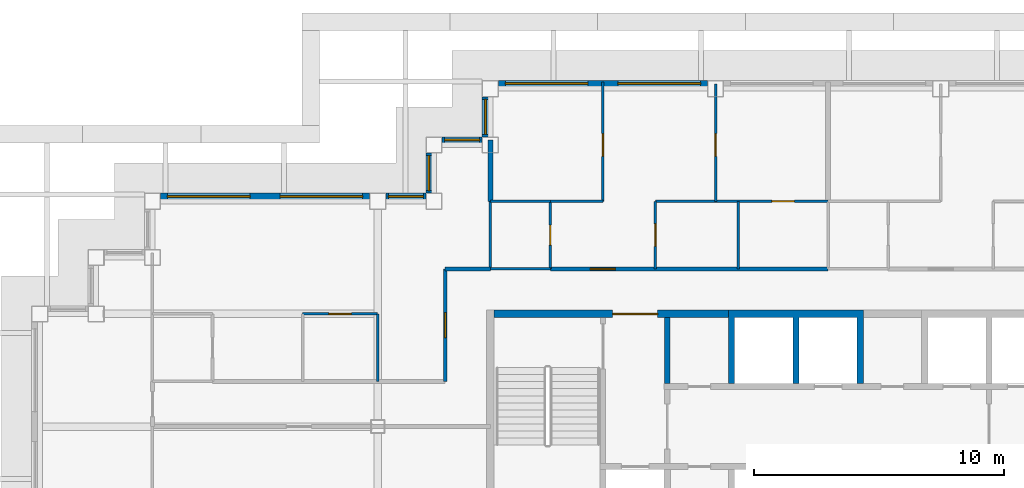
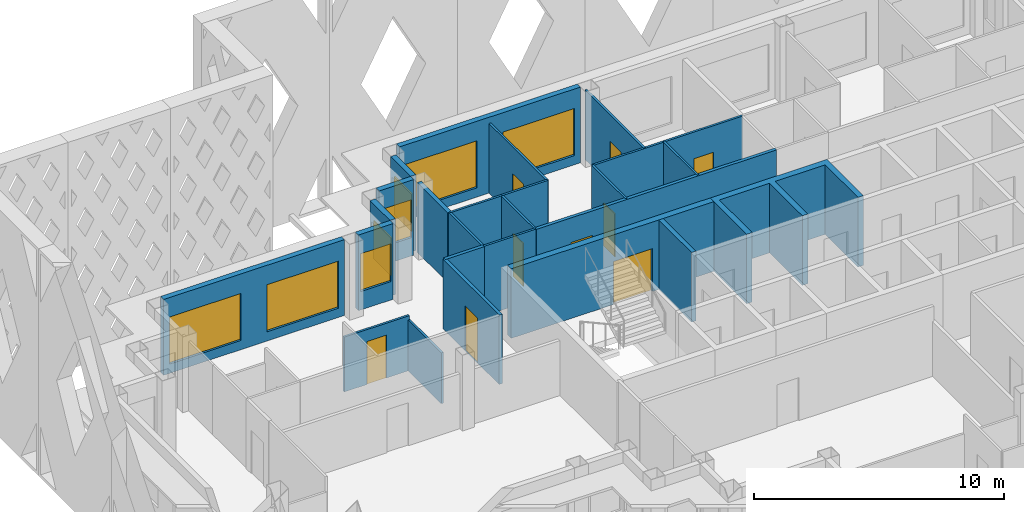
# One storey, part 6 of 17: 25 walls, 9 doors, 8 windows, 17 openings.
"""IFC4 building model written with IfcOpenShell, lengths in metres."""

from ifc_helpers import new_model, si_unit, direction, frame, frame_2d, origin, place, context, subcontext, project, spatial, polyline, rectangle, outline, extrude, material, layer, layer_set, type_object, element, fill, save


model = new_model("IFC4")

# Units and contexts
model_context = context("Model", 3, precision=1e-05, world=origin(), true_north=direction((0.0, 1.0)))
body_context = subcontext(model_context, "Body", "Model", "MODEL_VIEW")
ifc_project = project(units=[si_unit("LENGTHUNIT", "METRE"), si_unit("AREAUNIT", "SQUARE_METRE"), si_unit("VOLUMEUNIT", "CUBIC_METRE"), si_unit("PLANEANGLEUNIT", "RADIAN"), si_unit("MASSUNIT", "GRAM", prefix="KILO")], contexts=[model_context])

# Site, building, storey
site_placement = place(None, origin())
site = spatial("IfcSite", under=ifc_project, at=site_placement, CompositionType="ELEMENT")
building_placement = place(site_placement, origin())
building = spatial("IfcBuilding", under=site, at=building_placement, Name="Caravel Reach Hotel and Residences", CompositionType="ELEMENT")
storey_placement = place(building_placement, frame((0.0, 0.0, 222.0)))
storey = spatial("IfcBuildingStorey", under=building, at=storey_placement, Name="L56", CompositionType="ELEMENT", Elevation=222.0)

# Walls
ifc_material_1 = material(Name="Gypsum board on steel stud", Category="steel")
ifc_layer_1 = layer(ifc_material_1, 0.10009765625)
ifc_layer_set_1 = layer_set([ifc_layer_1], Name="Bathroom pod wall 100 mm")
wall_type_1 = type_object("IfcWallType", Name="Bathroom pod wall 100 mm", PredefinedType="PARTITIONING", material=ifc_layer_set_1)
for number, where, z_axis, x_axis, name in (
    (1, (18.0, 33.300048828125, 0.0), (0.0, 0.0, 1.0), (1.0, 0.0, 0.0), "L56 wall w081"),
    (2, (18.0, 36.0, 0.0), (0.0, 0.0, 1.0), (1.0, 0.0, 0.0), "L56 wall w084"),
):
    element("IfcWall", number, at=place(storey_placement, frame(where, z_axis=z_axis, x_axis=x_axis)), inside=storey, type_object=wall_type_1, Name=name, PredefinedType="PARTITIONING", context=body_context, shape_type="SweptSolid", body=[
        extrude(rectangle(XDim=2.39990234375, YDim=0.10009765625, at=frame_2d((1.199951171875, 0.0))), origin(), (0.0, 0.0, 1.0), 3.39990234375),
    ])
wall_1_placement = place(storey_placement, frame((18.0, 33.301025390625, 0.0), z_axis=(0.0, 0.0, 1.0), x_axis=(0.0, 1.0, 0.0)))
element("IfcWall", 3, at=wall_1_placement, inside=storey, type_object=wall_type_1, Name="L56 wall w090", PredefinedType="PARTITIONING", context=body_context, shape_type="SweptSolid", body=[
    extrude(rectangle(XDim=2.698974609375, YDim=0.10009765625, at=frame_2d((1.349609375, 0.0))), origin(), (0.0, 0.0, 1.0), 3.39990234375),
])

# Wall, opening, door
wall_2_placement = place(storey_placement, frame((20.39990234375, 33.300048828125, 0.0), z_axis=(0.0, 0.0, 1.0), x_axis=(0.0, 1.0, 0.0)))
wall_2 = element("IfcWall", 4, at=wall_2_placement, inside=storey, type_object=wall_type_1, Name="L56 wall w091", PredefinedType="PARTITIONING", context=body_context, shape_type="SweptSolid", body=[
    extrude(rectangle(XDim=2.699951171875, YDim=0.10009765625, at=frame_2d((1.35009765625, 0.0))), origin(), (0.0, 0.0, 1.0), 3.39990234375),
])
opening_1_placement = place(wall_2_placement, frame((0.949951171875, 0.0, 0.0)))
opening_1 = element("IfcOpeningElement", 5, at=opening_1_placement, cuts=wall_2, Name="Opening D56-018", PredefinedType="OPENING", context=body_context, shape_type="SweptSolid", body=[
    extrude(rectangle(XDim=0.800048828125, YDim=2.10009765625, at=frame_2d((0.39990234375, 1.050048828125))), frame((0.0, 0.06005859375, 0.0), z_axis=(0.0, -1.0, 0.0), x_axis=(1.0, 0.0, 0.0)), (0.0, 0.0, 1.0), 0.1201171875),
])
ifc_material_2 = material(Name="Timber and steel door leaf", Category="steel")
door_type_1 = type_object("IfcDoorType", Name="Bathroom door 800 x 2100", OperationType="SINGLE_SWING_LEFT", PredefinedType="DOOR", material=ifc_material_2)
door_1_placement = place(opening_1_placement, origin())
door_1 = element("IfcDoor", 6, at=door_1_placement, inside=storey, type_object=door_type_1, Name="door D56-018", OperationType="SINGLE_SWING_LEFT", OverallHeight=2.10009765625, OverallWidth=0.800048828125, PredefinedType="DOOR", context=body_context, shape_type="SweptSolid", body=[
    extrude(rectangle(XDim=0.800048828125, YDim=2.10009765625, at=frame_2d((0.39990234375, 1.050048828125))), frame((0.0, 0.02490234375, 0.0), z_axis=(0.0, -1.0, 0.0), x_axis=(1.0, 0.0, 0.0)), (0.0, 0.0, 1.0), 0.050048828125),
])
fill(opening_1, door_1)

# Wall
ifc_material_3 = material(Name="Autoclaved aerated block wall")
ifc_layer_2 = layer(ifc_material_3, 0.199951171875)
ifc_layer_set_2 = layer_set([ifc_layer_2], Name="Compartment wall 200 mm EI 120")
wall_type_2 = type_object("IfcWallType", Name="Compartment wall 200 mm EI 120", PredefinedType="PARTITIONING", material=ifc_layer_set_2)
wall_3_placement = place(storey_placement, frame((25.071533203125, 28.72509765625, 0.0), z_axis=(0.0, 0.0, 1.0), x_axis=(0.0, 1.0, 0.0)))
element("IfcWall", 7, at=wall_3_placement, inside=storey, type_object=wall_type_2, Name="L56 store partition", PredefinedType="PARTITIONING", context=body_context, shape_type="SweptSolid", body=[
    extrude(rectangle(XDim=2.625, YDim=0.199951171875, at=frame_2d((1.3125, 0.0))), origin(), (0.0, 0.0, 1.0), 3.39990234375),
])

# Wall, opening, door
ifc_material_4 = material(Name="Concrete C60", Category="concrete")
ifc_layer_3 = layer(ifc_material_4, 0.300048828125)
ifc_layer_set_3 = layer_set([ifc_layer_3], Name="Core wall 300 mm EI 120")
wall_type_3 = type_object("IfcWallType", Name="Core wall 300 mm EI 120", PredefinedType="SHEAR", material=ifc_layer_set_3)
wall_4_placement = place(storey_placement, frame((18.14990234375, 31.5, 0.0), z_axis=(0.0, 0.0, 1.0), x_axis=(1.0, 0.0, 0.0)))
wall_4 = element("IfcWall", 8, at=wall_4_placement, inside=storey, type_object=wall_type_3, Name="L56 core wall N1", PredefinedType="SHEAR", context=body_context, shape_type="SweptSolid", body=[
    extrude(rectangle(XDim=9.367919921875, YDim=0.300048828125, at=frame_2d((4.68408203125, 0.0))), origin(), (0.0, 0.0, 1.0), 3.39990234375),
])
opening_2_placement = place(wall_4_placement, frame((4.735595703125, 0.0, 0.0)))
opening_2 = element("IfcOpeningElement", 9, at=opening_2_placement, cuts=wall_4, Name="Opening D56-015", PredefinedType="OPENING", context=body_context, shape_type="SweptSolid", body=[
    extrude(rectangle(XDim=1.800048828125, YDim=2.10009765625, at=frame_2d((0.89990234375, 1.050048828125))), frame((0.0, 0.159912109375, 0.0), z_axis=(0.0, -1.0, 0.0), x_axis=(1.0, 0.0, 0.0)), (0.0, 0.0, 1.0), 0.320068359375),
])
ifc_material_5 = material(Name="Steel fire door leaf", Category="steel")
door_type_2 = type_object("IfcDoorType", Name="Fire lobby door pair 1800 x 2100 EI 90", OperationType="DOUBLE_DOOR_SINGLE_SWING", PredefinedType="DOOR", material=ifc_material_5)
door_2_placement = place(opening_2_placement, origin())
door_2 = element("IfcDoor", 10, at=door_2_placement, inside=storey, type_object=door_type_2, Name="lobby N door pair to corridor", OperationType="DOUBLE_DOOR_SINGLE_SWING", OverallHeight=2.10009765625, OverallWidth=1.800048828125, PredefinedType="DOOR", context=body_context, shape_type="SweptSolid", body=[
    extrude(rectangle(XDim=1.800048828125, YDim=2.10009765625, at=frame_2d((0.89990234375, 1.050048828125))), frame((0.0, 0.02490234375, 0.0), z_axis=(0.0, -1.0, 0.0), x_axis=(1.0, 0.0, 0.0)), (0.0, 0.0, 1.0), 0.050048828125),
])
fill(opening_2, door_2)

ifc_material_6 = material(Name="Gypsum board on steel stud, fire-rated", Category="steel")
ifc_layer_4 = layer(ifc_material_6, 0.14990234375)
ifc_layer_set_4 = layer_set([ifc_layer_4], Name="Corridor wall 150 mm EI 60")
wall_type_4 = type_object("IfcWallType", Name="Corridor wall 150 mm EI 60", PredefinedType="PARTITIONING", material=ifc_layer_set_4)
wall_5_placement = place(storey_placement, frame((20.39990234375, 33.300048828125, 0.0), z_axis=(0.0, 0.0, 1.0), x_axis=(1.0, 0.0, 0.0)))
wall_5 = element("IfcWall", 11, at=wall_5_placement, inside=storey, type_object=wall_type_4, Name="L56 wall w011", PredefinedType="PARTITIONING", context=body_context, shape_type="SweptSolid", body=[
    extrude(rectangle(XDim=11.10009765625, YDim=0.14990234375, at=frame_2d((5.550048828125, 0.0))), origin(), (0.0, 0.0, 1.0), 3.39990234375),
])
opening_3_placement = place(wall_5_placement, frame((1.60009765625, 0.0, 0.0)))
opening_3 = element("IfcOpeningElement", 12, at=opening_3_placement, cuts=wall_5, Name="Opening D56-017", PredefinedType="OPENING", context=body_context, shape_type="SweptSolid", body=[
    extrude(rectangle(XDim=1.0, YDim=2.199951171875, at=frame_2d((0.5, 1.10009765625))), frame((0.0, 0.0849609375, 0.0), z_axis=(0.0, -1.0, 0.0), x_axis=(1.0, 0.0, 0.0)), (0.0, 0.0, 1.0), 0.169921875),
])
ifc_material_7 = material(Name="Steel fire door leaf", Category="steel")
door_type_3 = type_object("IfcDoorType", Name="Flat entrance door 1000 x 2200 EI 60", OperationType="SINGLE_SWING_LEFT", PredefinedType="DOOR", material=ifc_material_7)
door_3_placement = place(opening_3_placement, origin())
door_3 = element("IfcDoor", 13, at=door_3_placement, inside=storey, type_object=door_type_3, Name="door D56-017", OperationType="SINGLE_SWING_RIGHT", OverallHeight=2.199951171875, OverallWidth=1.0, PredefinedType="DOOR", context=body_context, shape_type="SweptSolid", body=[
    extrude(rectangle(XDim=1.0, YDim=2.199951171875, at=frame_2d((0.5, 1.10009765625))), frame((0.0, 0.02490234375, 0.0), z_axis=(0.0, -1.0, 0.0), x_axis=(1.0, 0.0, 0.0)), (0.0, 0.0, 1.0), 0.050048828125),
])
fill(opening_3, door_3)

# Wall
wall_6_placement = place(storey_placement, frame((16.199951171875, 33.300048828125, 0.0), z_axis=(0.0, 0.0, 1.0), x_axis=(1.0, 0.0, 0.0)))
element("IfcWall", 14, at=wall_6_placement, inside=storey, type_object=wall_type_4, Name="L56 wall w017", PredefinedType="PARTITIONING", context=body_context, shape_type="SweptSolid", body=[
    extrude(rectangle(XDim=1.799072265625, YDim=0.14990234375, at=frame_2d((0.8994140625, 0.0))), origin(), (0.0, 0.0, 1.0), 3.39990234375),
])

# Wall, opening, door
wall_7_placement = place(storey_placement, frame((16.199951171875, 28.801025390625, 0.0), z_axis=(0.0, 0.0, 1.0), x_axis=(0.0, 1.0, 0.0)))
wall_7 = element("IfcWall", 15, at=wall_7_placement, inside=storey, type_object=wall_type_4, Name="L56 wall w019", PredefinedType="PARTITIONING", context=body_context, shape_type="SweptSolid", body=[
    extrude(rectangle(XDim=4.4990234375, YDim=0.14990234375, at=frame_2d((2.24951171875, 0.0))), origin(), (0.0, 0.0, 1.0), 3.39990234375),
])
opening_4_placement = place(wall_7_placement, frame((1.74951171875, 0.0, 0.0)))
opening_4 = element("IfcOpeningElement", 16, at=opening_4_placement, cuts=wall_7, Name="Opening D56-029", PredefinedType="OPENING", context=body_context, shape_type="SweptSolid", body=[
    extrude(rectangle(XDim=1.0, YDim=2.199951171875, at=frame_2d((0.5, 1.10009765625))), frame((0.0, 0.0849609375, 0.0), z_axis=(0.0, -1.0, 0.0), x_axis=(1.0, 0.0, 0.0)), (0.0, 0.0, 1.0), 0.169921875),
])
door_4_placement = place(opening_4_placement, origin())
door_4 = element("IfcDoor", 17, at=door_4_placement, inside=storey, type_object=door_type_3, Name="door D56-029", OperationType="SINGLE_SWING_RIGHT", OverallHeight=2.199951171875, OverallWidth=1.0, PredefinedType="DOOR", context=body_context, shape_type="SweptSolid", body=[
    extrude(rectangle(XDim=1.0, YDim=2.199951171875, at=frame_2d((0.5, 1.10009765625))), frame((0.0, 0.02490234375, 0.0), z_axis=(0.0, -1.0, 0.0), x_axis=(1.0, 0.0, 0.0)), (0.0, 0.0, 1.0), 0.050048828125),
])
fill(opening_4, door_4)

# Wall, openings, windows
ifc_material_8 = material(Name="Insulated rainscreen wall, aluminium cladding", Category="aluminium")
ifc_layer_5 = layer(ifc_material_8, 0.25)
ifc_layer_set_5 = layer_set([ifc_layer_5], Name="EW1 Tower rainscreen wall")
wall_type_5 = type_object("IfcWallType", Name="EW1 Tower rainscreen wall", PredefinedType="SOLIDWALL", material=ifc_layer_set_5)
wall_8_placement = place(storey_placement, frame((26.675048828125, 40.699951171875, 0.0), z_axis=(0.0, 0.0, 1.0), x_axis=(-1.0, 0.0, 0.0)))
wall_8 = element("IfcWall", 18, at=wall_8_placement, inside=storey, type_object=wall_type_5, Name="External wall L56 N11.3", PredefinedType="SOLIDWALL", context=body_context, shape_type="SweptSolid", body=[
    extrude(rectangle(XDim=8.35009765625, YDim=0.25, at=frame_2d((4.175048828125, 0.0))), origin(), (0.0, 0.0, 1.0), 3.699951171875),
])
opening_5_placement = place(wall_8_placement, frame((0.27490234375, 0.0, 0.449951171875)))
opening_5 = element("IfcOpeningElement", 19, at=opening_5_placement, cuts=wall_8, Name="Opening WN15", PredefinedType="OPENING", context=body_context, shape_type="SweptSolid", body=[
    extrude(rectangle(XDim=3.300048828125, YDim=2.300048828125, at=frame_2d((1.64990234375, 1.14990234375))), frame((0.0, 0.135009765625, 0.0), z_axis=(0.0, -1.0, 0.0), x_axis=(1.0, 0.0, 0.0)), (0.0, 0.0, 1.0), 0.27001953125),
])
opening_6_placement = place(wall_8_placement, frame((4.77490234375, 0.0, 0.449951171875)))
opening_6 = element("IfcOpeningElement", 20, at=opening_6_placement, cuts=wall_8, Name="Opening WN15", PredefinedType="OPENING", context=body_context, shape_type="SweptSolid", body=[
    extrude(rectangle(XDim=3.300048828125, YDim=2.300048828125, at=frame_2d((1.64990234375, 1.14990234375))), frame((0.0, 0.135009765625, 0.0), z_axis=(0.0, -1.0, 0.0), x_axis=(1.0, 0.0, 0.0)), (0.0, 0.0, 1.0), 0.27001953125),
])
ifc_material_9 = material(Name="Dark low-e glazing in black aluminium frame", Category="aluminium")
window_type_1 = type_object("IfcWindowType", Name="Residence living window 3300 x 2300", PartitioningType="SINGLE_PANEL", PredefinedType="WINDOW", material=ifc_material_9)
window_1_placement = place(opening_5_placement, origin())
window_1 = element("IfcWindow", 21, at=window_1_placement, inside=storey, type_object=window_type_1, Name="Window L56 N11.3.1", OverallHeight=2.300048828125, OverallWidth=3.300048828125, PartitioningType="SINGLE_PANEL", PredefinedType="WINDOW", context=body_context, shape_type="SweptSolid", body=[
    extrude(rectangle(XDim=3.300048828125, YDim=2.300048828125, at=frame_2d((1.64990234375, 1.14990234375))), frame((0.0, 0.030029296875, 0.0), z_axis=(0.0, -1.0, 0.0), x_axis=(1.0, 0.0, 0.0)), (0.0, 0.0, 1.0), 0.06005859375),
])
fill(opening_5, window_1)
window_2_placement = place(opening_6_placement, origin())
window_2 = element("IfcWindow", 22, at=window_2_placement, inside=storey, type_object=window_type_1, Name="Window L56 N11.3.2", OverallHeight=2.300048828125, OverallWidth=3.300048828125, PartitioningType="SINGLE_PANEL", PredefinedType="WINDOW", context=body_context, shape_type="SweptSolid", body=[
    extrude(rectangle(XDim=3.300048828125, YDim=2.300048828125, at=frame_2d((1.64990234375, 1.14990234375))), frame((0.0, 0.030029296875, 0.0), z_axis=(0.0, -1.0, 0.0), x_axis=(1.0, 0.0, 0.0)), (0.0, 0.0, 1.0), 0.06005859375),
])
fill(opening_6, window_2)

# Wall, opening, window
wall_9_placement = place(storey_placement, frame((17.800048828125, 40.175048828125, 0.0), z_axis=(0.0, 0.0, 1.0), x_axis=(0.0, -1.0, 0.0)))
wall_9 = element("IfcWall", 23, at=wall_9_placement, inside=storey, type_object=wall_type_5, Name="External wall L56 W12.1", PredefinedType="SOLIDWALL", context=body_context, shape_type="SweptSolid", body=[
    extrude(rectangle(XDim=1.60009765625, YDim=0.25, at=frame_2d((0.800048828125, 0.0))), origin(), (0.0, 0.0, 1.0), 3.699951171875),
])
opening_7_placement = place(wall_9_placement, frame((0.10009765625, 0.0, 0.89990234375)))
opening_7 = element("IfcOpeningElement", 24, at=opening_7_placement, cuts=wall_9, Name="Opening WN22", PredefinedType="OPENING", context=body_context, shape_type="SweptSolid", body=[
    extrude(rectangle(XDim=1.39990234375, YDim=1.85009765625, at=frame_2d((0.699951171875, 0.925048828125))), frame((0.0, 0.135009765625, 0.0), z_axis=(0.0, -1.0, 0.0), x_axis=(1.0, 0.0, 0.0)), (0.0, 0.0, 1.0), 0.27001953125),
])
ifc_material_10 = material(Name="Dark low-e glazing in black aluminium frame", Category="aluminium")
window_type_2 = type_object("IfcWindowType", Name="Residence bedroom window 1400 x 1850", PartitioningType="SINGLE_PANEL", PredefinedType="WINDOW", material=ifc_material_10)
window_3_placement = place(opening_7_placement, origin())
window_3 = element("IfcWindow", 25, at=window_3_placement, inside=storey, type_object=window_type_2, Name="Window L56 W12.1.1", OverallHeight=1.85009765625, OverallWidth=1.39990234375, PartitioningType="SINGLE_PANEL", PredefinedType="WINDOW", context=body_context, shape_type="SweptSolid", body=[
    extrude(rectangle(XDim=1.39990234375, YDim=1.85009765625, at=frame_2d((0.699951171875, 0.925048828125))), frame((0.0, 0.030029296875, 0.0), z_axis=(0.0, -1.0, 0.0), x_axis=(1.0, 0.0, 0.0)), (0.0, 0.0, 1.0), 0.06005859375),
])
fill(opening_7, window_3)

wall_10_placement = place(storey_placement, frame((17.675048828125, 38.449951171875, 0.0), z_axis=(0.0, 0.0, 1.0), x_axis=(-1.0, 0.0, 0.0)))
wall_10 = element("IfcWall", 26, at=wall_10_placement, inside=storey, type_object=wall_type_5, Name="External wall L56 N13.1", PredefinedType="SOLIDWALL", context=body_context, shape_type="SweptSolid", body=[
    extrude(rectangle(XDim=1.60009765625, YDim=0.25, at=frame_2d((0.800048828125, 0.0))), origin(), (0.0, 0.0, 1.0), 3.699951171875),
])
opening_8_placement = place(wall_10_placement, frame((0.10009765625, 0.0, 0.89990234375)))
opening_8 = element("IfcOpeningElement", 27, at=opening_8_placement, cuts=wall_10, Name="Opening WN22", PredefinedType="OPENING", context=body_context, shape_type="SweptSolid", body=[
    extrude(rectangle(XDim=1.39990234375, YDim=1.85009765625, at=frame_2d((0.699951171875, 0.925048828125))), frame((0.0, 0.135009765625, 0.0), z_axis=(0.0, -1.0, 0.0), x_axis=(1.0, 0.0, 0.0)), (0.0, 0.0, 1.0), 0.27001953125),
])
window_4_placement = place(opening_8_placement, origin())
window_4 = element("IfcWindow", 28, at=window_4_placement, inside=storey, type_object=window_type_2, Name="Window L56 N13.1.1", OverallHeight=1.85009765625, OverallWidth=1.39990234375, PartitioningType="SINGLE_PANEL", PredefinedType="WINDOW", context=body_context, shape_type="SweptSolid", body=[
    extrude(rectangle(XDim=1.39990234375, YDim=1.85009765625, at=frame_2d((0.699951171875, 0.925048828125))), frame((0.0, 0.030029296875, 0.0), z_axis=(0.0, -1.0, 0.0), x_axis=(1.0, 0.0, 0.0)), (0.0, 0.0, 1.0), 0.06005859375),
])
fill(opening_8, window_4)

wall_11_placement = place(storey_placement, frame((15.550048828125, 37.925048828125, 0.0), z_axis=(0.0, 0.0, 1.0), x_axis=(0.0, -1.0, 0.0)))
wall_11 = element("IfcWall", 29, at=wall_11_placement, inside=storey, type_object=wall_type_5, Name="External wall L56 W14.1", PredefinedType="SOLIDWALL", context=body_context, shape_type="SweptSolid", body=[
    extrude(rectangle(XDim=1.60009765625, YDim=0.25, at=frame_2d((0.800048828125, 0.0))), origin(), (0.0, 0.0, 1.0), 3.699951171875),
])
opening_9_placement = place(wall_11_placement, frame((0.10009765625, 0.0, 0.89990234375)))
opening_9 = element("IfcOpeningElement", 30, at=opening_9_placement, cuts=wall_11, Name="Opening WN22", PredefinedType="OPENING", context=body_context, shape_type="SweptSolid", body=[
    extrude(rectangle(XDim=1.39990234375, YDim=1.85009765625, at=frame_2d((0.699951171875, 0.925048828125))), frame((0.0, 0.135009765625, 0.0), z_axis=(0.0, -1.0, 0.0), x_axis=(1.0, 0.0, 0.0)), (0.0, 0.0, 1.0), 0.27001953125),
])
window_5_placement = place(opening_9_placement, origin())
window_5 = element("IfcWindow", 31, at=window_5_placement, inside=storey, type_object=window_type_2, Name="Window L56 W14.1.1", OverallHeight=1.85009765625, OverallWidth=1.39990234375, PartitioningType="SINGLE_PANEL", PredefinedType="WINDOW", context=body_context, shape_type="SweptSolid", body=[
    extrude(rectangle(XDim=1.39990234375, YDim=1.85009765625, at=frame_2d((0.699951171875, 0.925048828125))), frame((0.0, 0.030029296875, 0.0), z_axis=(0.0, -1.0, 0.0), x_axis=(1.0, 0.0, 0.0)), (0.0, 0.0, 1.0), 0.06005859375),
])
fill(opening_9, window_5)

wall_12_placement = place(storey_placement, frame((15.425048828125, 36.199951171875, 0.0), z_axis=(0.0, 0.0, 1.0), x_axis=(-1.0, 0.0, 0.0)))
wall_12 = element("IfcWall", 32, at=wall_12_placement, inside=storey, type_object=wall_type_5, Name="External wall L56 N15.1", PredefinedType="SOLIDWALL", context=body_context, shape_type="SweptSolid", body=[
    extrude(rectangle(XDim=1.60009765625, YDim=0.25, at=frame_2d((0.800048828125, 0.0))), origin(), (0.0, 0.0, 1.0), 3.699951171875),
])
opening_10_placement = place(wall_12_placement, frame((0.10009765625, 0.0, 0.89990234375)))
opening_10 = element("IfcOpeningElement", 33, at=opening_10_placement, cuts=wall_12, Name="Opening WN22", PredefinedType="OPENING", context=body_context, shape_type="SweptSolid", body=[
    extrude(rectangle(XDim=1.39990234375, YDim=1.85009765625, at=frame_2d((0.699951171875, 0.925048828125))), frame((0.0, 0.135009765625, 0.0), z_axis=(0.0, -1.0, 0.0), x_axis=(1.0, 0.0, 0.0)), (0.0, 0.0, 1.0), 0.27001953125),
])
window_6_placement = place(opening_10_placement, origin())
window_6 = element("IfcWindow", 34, at=window_6_placement, inside=storey, type_object=window_type_2, Name="Window L56 N15.1.1", OverallHeight=1.85009765625, OverallWidth=1.39990234375, PartitioningType="SINGLE_PANEL", PredefinedType="WINDOW", context=body_context, shape_type="SweptSolid", body=[
    extrude(rectangle(XDim=1.39990234375, YDim=1.85009765625, at=frame_2d((0.699951171875, 0.925048828125))), frame((0.0, 0.030029296875, 0.0), z_axis=(0.0, -1.0, 0.0), x_axis=(1.0, 0.0, 0.0)), (0.0, 0.0, 1.0), 0.06005859375),
])
fill(opening_10, window_6)

# Wall, openings, windows
wall_13_placement = place(storey_placement, frame((13.175048828125, 36.199951171875, 0.0), z_axis=(0.0, 0.0, 1.0), x_axis=(-1.0, 0.0, 0.0)))
wall_13 = element("IfcWall", 35, at=wall_13_placement, inside=storey, type_object=wall_type_5, Name="External wall L56 N15.2", PredefinedType="SOLIDWALL", context=body_context, shape_type="SweptSolid", body=[
    extrude(rectangle(XDim=8.35009765625, YDim=0.25, at=frame_2d((4.175048828125, 0.0))), origin(), (0.0, 0.0, 1.0), 3.699951171875),
])
opening_11_placement = place(wall_13_placement, frame((0.27490234375, 0.0, 0.449951171875)))
opening_11 = element("IfcOpeningElement", 36, at=opening_11_placement, cuts=wall_13, Name="Opening WN15", PredefinedType="OPENING", context=body_context, shape_type="SweptSolid", body=[
    extrude(rectangle(XDim=3.300048828125, YDim=2.300048828125, at=frame_2d((1.64990234375, 1.14990234375))), frame((0.0, 0.135009765625, 0.0), z_axis=(0.0, -1.0, 0.0), x_axis=(1.0, 0.0, 0.0)), (0.0, 0.0, 1.0), 0.27001953125),
])
opening_12_placement = place(wall_13_placement, frame((4.77490234375, 0.0, 0.449951171875)))
opening_12 = element("IfcOpeningElement", 37, at=opening_12_placement, cuts=wall_13, Name="Opening WN15", PredefinedType="OPENING", context=body_context, shape_type="SweptSolid", body=[
    extrude(rectangle(XDim=3.300048828125, YDim=2.300048828125, at=frame_2d((1.64990234375, 1.14990234375))), frame((0.0, 0.135009765625, 0.0), z_axis=(0.0, -1.0, 0.0), x_axis=(1.0, 0.0, 0.0)), (0.0, 0.0, 1.0), 0.27001953125),
])
window_7_placement = place(opening_11_placement, origin())
window_7 = element("IfcWindow", 38, at=window_7_placement, inside=storey, type_object=window_type_1, Name="Window L56 N15.2.1", OverallHeight=2.300048828125, OverallWidth=3.300048828125, PartitioningType="SINGLE_PANEL", PredefinedType="WINDOW", context=body_context, shape_type="SweptSolid", body=[
    extrude(rectangle(XDim=3.300048828125, YDim=2.300048828125, at=frame_2d((1.64990234375, 1.14990234375))), frame((0.0, 0.030029296875, 0.0), z_axis=(0.0, -1.0, 0.0), x_axis=(1.0, 0.0, 0.0)), (0.0, 0.0, 1.0), 0.06005859375),
])
fill(opening_11, window_7)
window_8_placement = place(opening_12_placement, origin())
window_8 = element("IfcWindow", 39, at=window_8_placement, inside=storey, type_object=window_type_1, Name="Window L56 N15.2.2", OverallHeight=2.300048828125, OverallWidth=3.300048828125, PartitioningType="SINGLE_PANEL", PredefinedType="WINDOW", context=body_context, shape_type="SweptSolid", body=[
    extrude(rectangle(XDim=3.300048828125, YDim=2.300048828125, at=frame_2d((1.64990234375, 1.14990234375))), frame((0.0, 0.030029296875, 0.0), z_axis=(0.0, -1.0, 0.0), x_axis=(1.0, 0.0, 0.0)), (0.0, 0.0, 1.0), 0.06005859375),
])
fill(opening_12, window_8)

# Wall, opening, door
ifc_material_11 = material(Name="Gypsum board on steel stud", Category="steel")
ifc_layer_6 = layer(ifc_material_11, 0.10009765625)
ifc_layer_set_6 = layer_set([ifc_layer_6], Name="Partition 100 mm")
wall_type_6 = type_object("IfcWallType", Name="Partition 100 mm", PredefinedType="PARTITIONING", material=ifc_layer_set_6)
wall_14_placement = place(storey_placement, frame((10.5, 31.5, 0.0), z_axis=(0.0, 0.0, 1.0), x_axis=(1.0, 0.0, 0.0)))
wall_14 = element("IfcWall", 40, at=wall_14_placement, inside=storey, type_object=wall_type_6, Name="L56 wall w036", PredefinedType="PARTITIONING", context=body_context, shape_type="SweptSolid", body=[
    extrude(rectangle(XDim=3.0, YDim=0.10009765625, at=frame_2d((1.5, 0.0))), origin(), (0.0, 0.0, 1.0), 2.679931640625),
])
opening_13_placement = place(wall_14_placement, frame((1.050048828125, 0.0, 0.0)))
opening_13 = element("IfcOpeningElement", 41, at=opening_13_placement, cuts=wall_14, Name="Opening D56-031", PredefinedType="OPENING", context=body_context, shape_type="SweptSolid", body=[
    extrude(rectangle(XDim=0.89990234375, YDim=2.10009765625, at=frame_2d((0.449951171875, 1.050048828125))), frame((0.0, 0.06005859375, 0.0), z_axis=(0.0, -1.0, 0.0), x_axis=(1.0, 0.0, 0.0)), (0.0, 0.0, 1.0), 0.1201171875),
])
ifc_material_12 = material(Name="Timber and steel door leaf", Category="steel")
door_type_4 = type_object("IfcDoorType", Name="Door 900 x 2100 timber", OperationType="SINGLE_SWING_LEFT", PredefinedType="DOOR", material=ifc_material_12)
door_5_placement = place(opening_13_placement, origin())
door_5 = element("IfcDoor", 42, at=door_5_placement, inside=storey, type_object=door_type_4, Name="door D56-031", OperationType="SINGLE_SWING_RIGHT", OverallHeight=2.10009765625, OverallWidth=0.89990234375, PredefinedType="DOOR", context=body_context, shape_type="SweptSolid", body=[
    extrude(rectangle(XDim=0.89990234375, YDim=2.10009765625, at=frame_2d((0.449951171875, 1.050048828125))), frame((0.0, 0.02490234375, 0.0), z_axis=(0.0, -1.0, 0.0), x_axis=(1.0, 0.0, 0.0)), (0.0, 0.0, 1.0), 0.050048828125),
])
fill(opening_13, door_5)

# Wall
wall_15_placement = place(storey_placement, frame((20.39990234375, 36.0, 0.0), z_axis=(0.0, 0.0, 1.0), x_axis=(1.0, 0.0, 0.0)))
element("IfcWall", 43, at=wall_15_placement, inside=storey, type_object=wall_type_6, Name="L56 wall w038", PredefinedType="PARTITIONING", context=body_context, shape_type="SweptSolid", body=[
    extrude(rectangle(XDim=2.10009765625, YDim=0.10009765625, at=frame_2d((1.050048828125, 0.0))), origin(), (0.0, 0.0, 1.0), 3.39990234375),
])

# Wall, opening, door
wall_16_placement = place(storey_placement, frame((24.60009765625, 36.0, 0.0), z_axis=(0.0, 0.0, 1.0), x_axis=(1.0, 0.0, 0.0)))
wall_16 = element("IfcWall", 44, at=wall_16_placement, inside=storey, type_object=wall_type_6, Name="L56 wall w040", PredefinedType="PARTITIONING", context=body_context, shape_type="SweptSolid", body=[
    extrude(rectangle(XDim=6.89990234375, YDim=0.10009765625, at=frame_2d((3.449951171875, 0.0))), origin(), (0.0, 0.0, 1.0), 3.39990234375),
])
opening_14_placement = place(wall_16_placement, frame((4.650146484375, 0.0, 0.0)))
opening_14 = element("IfcOpeningElement", 45, at=opening_14_placement, cuts=wall_16, Name="Opening D56-020", PredefinedType="OPENING", context=body_context, shape_type="SweptSolid", body=[
    extrude(rectangle(XDim=0.89990234375, YDim=2.10009765625, at=frame_2d((0.449951171875, 1.050048828125))), frame((0.0, 0.06005859375, 0.0), z_axis=(0.0, -1.0, 0.0), x_axis=(1.0, 0.0, 0.0)), (0.0, 0.0, 1.0), 0.1201171875),
])
door_6_placement = place(opening_14_placement, origin())
door_6 = element("IfcDoor", 46, at=door_6_placement, inside=storey, type_object=door_type_4, Name="door D56-020", OperationType="SINGLE_SWING_LEFT", OverallHeight=2.10009765625, OverallWidth=0.89990234375, PredefinedType="DOOR", context=body_context, shape_type="SweptSolid", body=[
    extrude(rectangle(XDim=0.89990234375, YDim=2.10009765625, at=frame_2d((0.449951171875, 1.050048828125))), frame((0.0, 0.02490234375, 0.0), z_axis=(0.0, -1.0, 0.0), x_axis=(1.0, 0.0, 0.0)), (0.0, 0.0, 1.0), 0.050048828125),
])
fill(opening_14, door_6)

# Wall
wall_17_placement = place(storey_placement, frame((13.5, 28.801025390625, 0.0), z_axis=(0.0, 0.0, 1.0), x_axis=(0.0, 1.0, 0.0)))
element("IfcWall", 47, at=wall_17_placement, inside=storey, type_object=wall_type_6, Name="L56 wall w048", PredefinedType="PARTITIONING", context=body_context, shape_type="SweptSolid", body=[
    extrude(rectangle(XDim=2.698974609375, YDim=0.10009765625, at=frame_2d((1.349609375, 0.0))), origin(), (0.0, 0.0, 1.0), 2.47998046875),
])

# Wall, opening, door
wall_18_placement = place(storey_placement, frame((22.5, 36.0, 0.0), z_axis=(0.0, 0.0, 1.0), x_axis=(0.0, 1.0, 0.0)))
wall_18 = element("IfcWall", 48, at=wall_18_placement, inside=storey, type_object=wall_type_6, Name="L56 wall w051", PredefinedType="PARTITIONING", context=body_context, shape_type="SweptSolid", body=[
    extrude(rectangle(XDim=4.764892578125, YDim=0.10009765625, at=frame_2d((2.38232421875, 0.0))), origin(), (0.0, 0.0, 1.0), 3.39990234375),
])
opening_15_placement = place(wall_18_placement, frame((1.800048828125, 0.0, 0.0)))
opening_15 = element("IfcOpeningElement", 49, at=opening_15_placement, cuts=wall_18, Name="Opening D56-021", PredefinedType="OPENING", context=body_context, shape_type="SweptSolid", body=[
    extrude(rectangle(XDim=0.89990234375, YDim=2.10009765625, at=frame_2d((0.449951171875, 1.050048828125))), frame((0.0, 0.06005859375, 0.0), z_axis=(0.0, -1.0, 0.0), x_axis=(1.0, 0.0, 0.0)), (0.0, 0.0, 1.0), 0.1201171875),
])
door_7_placement = place(opening_15_placement, origin())
door_7 = element("IfcDoor", 50, at=door_7_placement, inside=storey, type_object=door_type_4, Name="door D56-021", OperationType="SINGLE_SWING_RIGHT", OverallHeight=2.10009765625, OverallWidth=0.89990234375, PredefinedType="DOOR", context=body_context, shape_type="SweptSolid", body=[
    extrude(rectangle(XDim=0.89990234375, YDim=2.10009765625, at=frame_2d((0.449951171875, 1.050048828125))), frame((0.0, 0.02490234375, 0.0), z_axis=(0.0, -1.0, 0.0), x_axis=(1.0, 0.0, 0.0)), (0.0, 0.0, 1.0), 0.050048828125),
])
fill(opening_15, door_7)

wall_19_placement = place(storey_placement, frame((24.60009765625, 33.300048828125, 0.0), z_axis=(0.0, 0.0, 1.0), x_axis=(0.0, 1.0, 0.0)))
wall_19 = element("IfcWall", 51, at=wall_19_placement, inside=storey, type_object=wall_type_6, Name="L56 wall w052", PredefinedType="PARTITIONING", context=body_context, shape_type="SweptSolid", body=[
    extrude(rectangle(XDim=2.699951171875, YDim=0.10009765625, at=frame_2d((1.35009765625, 0.0))), origin(), (0.0, 0.0, 1.0), 3.39990234375),
])
opening_16_placement = place(wall_19_placement, frame((0.89990234375, 0.0, 0.0)))
opening_16 = element("IfcOpeningElement", 52, at=opening_16_placement, cuts=wall_19, Name="Opening D56-019", PredefinedType="OPENING", context=body_context, shape_type="SweptSolid", body=[
    extrude(rectangle(XDim=0.89990234375, YDim=2.10009765625, at=frame_2d((0.449951171875, 1.050048828125))), frame((0.0, 0.06005859375, 0.0), z_axis=(0.0, -1.0, 0.0), x_axis=(1.0, 0.0, 0.0)), (0.0, 0.0, 1.0), 0.1201171875),
])
door_8_placement = place(opening_16_placement, origin())
door_8 = element("IfcDoor", 53, at=door_8_placement, inside=storey, type_object=door_type_4, Name="door D56-019", OperationType="SINGLE_SWING_LEFT", OverallHeight=2.10009765625, OverallWidth=0.89990234375, PredefinedType="DOOR", context=body_context, shape_type="SweptSolid", body=[
    extrude(rectangle(XDim=0.89990234375, YDim=2.10009765625, at=frame_2d((0.449951171875, 1.050048828125))), frame((0.0, 0.02490234375, 0.0), z_axis=(0.0, -1.0, 0.0), x_axis=(1.0, 0.0, 0.0)), (0.0, 0.0, 1.0), 0.050048828125),
])
fill(opening_16, door_8)

wall_20_placement = place(storey_placement, frame((27.0, 36.0, 0.0), z_axis=(0.0, 0.0, 1.0), x_axis=(0.0, 1.0, 0.0)))
wall_20 = element("IfcWall", 54, at=wall_20_placement, inside=storey, type_object=wall_type_6, Name="L56 wall w053", PredefinedType="PARTITIONING", context=body_context, shape_type="SweptSolid", body=[
    extrude(rectangle(XDim=4.68994140625, YDim=0.10009765625, at=frame_2d((2.344970703125, 0.0))), origin(), (0.0, 0.0, 1.0), 3.39990234375),
])
opening_17_placement = place(wall_20_placement, frame((1.800048828125, 0.0, 0.0)))
opening_17 = element("IfcOpeningElement", 55, at=opening_17_placement, cuts=wall_20, Name="Opening D56-022", PredefinedType="OPENING", context=body_context, shape_type="SweptSolid", body=[
    extrude(rectangle(XDim=0.89990234375, YDim=2.10009765625, at=frame_2d((0.449951171875, 1.050048828125))), frame((0.0, 0.06005859375, 0.0), z_axis=(0.0, -1.0, 0.0), x_axis=(1.0, 0.0, 0.0)), (0.0, 0.0, 1.0), 0.1201171875),
])
door_9_placement = place(opening_17_placement, origin())
door_9 = element("IfcDoor", 56, at=door_9_placement, inside=storey, type_object=door_type_4, Name="door D56-022", OperationType="SINGLE_SWING_LEFT", OverallHeight=2.10009765625, OverallWidth=0.89990234375, PredefinedType="DOOR", context=body_context, shape_type="SweptSolid", body=[
    extrude(rectangle(XDim=0.89990234375, YDim=2.10009765625, at=frame_2d((0.449951171875, 1.050048828125))), frame((0.0, 0.02490234375, 0.0), z_axis=(0.0, -1.0, 0.0), x_axis=(1.0, 0.0, 0.0)), (0.0, 0.0, 1.0), 0.050048828125),
])
fill(opening_17, door_9)

# Walls
wall_21_placement = place(storey_placement, frame((27.89990234375, 33.300048828125, 0.0), z_axis=(0.0, 0.0, 1.0), x_axis=(0.0, 1.0, 0.0)))
element("IfcWall", 57, at=wall_21_placement, inside=storey, type_object=wall_type_6, Name="L56 wall w054", PredefinedType="PARTITIONING", context=body_context, shape_type="SweptSolid", body=[
    extrude(rectangle(XDim=2.699951171875, YDim=0.10009765625, at=frame_2d((1.35009765625, 0.0))), origin(), (0.0, 0.0, 1.0), 3.39990234375),
])
ifc_material_13 = material(Name="Autoclaved aerated block wall")
ifc_layer_7 = layer(ifc_material_13, 0.199951171875)
ifc_layer_set_7 = layer_set([ifc_layer_7], Name="Party wall 200 mm EI 60")
wall_type_7 = type_object("IfcWallType", Name="Party wall 200 mm EI 60", PredefinedType="PARTITIONING", material=ifc_layer_set_7)
wall_22_placement = place(storey_placement, frame((18.0, 36.0, 0.0), z_axis=(0.0, 0.0, 1.0), x_axis=(0.0, 1.0, 0.0)))
element("IfcWall", 58, at=wall_22_placement, inside=storey, type_object=wall_type_7, Name="L56 wall w072", PredefinedType="PARTITIONING", context=body_context, shape_type="SweptSolid", body=[
    extrude(rectangle(XDim=2.43994140625, YDim=0.199951171875, at=frame_2d((1.219970703125, 0.0))), origin(), (0.0, 0.0, 1.0), 3.39990234375),
])
ifc_material_14 = material(Name="Concrete C60", Category="concrete")
ifc_layer_8 = layer(ifc_material_14, 0.25)
ifc_layer_set_8 = layer_set([ifc_layer_8], Name="Shaft wall 250 mm EI 120")
wall_type_8 = type_object("IfcWallType", Name="Shaft wall 250 mm EI 120", PredefinedType="SHEAR", material=ifc_layer_set_8)
wall_23_placement = place(storey_placement, origin())
element("IfcWall", 59, at=wall_23_placement, inside=storey, type_object=wall_type_8, Name="L56 lift shaft wall N1", PredefinedType="SHEAR", context=body_context, shape_type="SweptSolid", body=[
    extrude(outline(polyline([(27.517822265625, 28.72509765625), (27.767822265625, 28.72509765625), (27.767822265625, 31.35009765625), (30.08935546875, 31.35009765625), (30.08935546875, 28.72509765625), (30.33935546875, 28.72509765625), (30.33935546875, 31.35009765625), (32.66064453125, 31.35009765625), (32.66064453125, 28.72509765625), (32.91064453125, 28.72509765625), (32.91064453125, 31.64990234375), (27.517822265625, 31.64990234375), (27.517822265625, 28.72509765625)])), origin(), (0.0, 0.0, 1.0), 3.39990234375),
])

save(model, "model.ifc")
